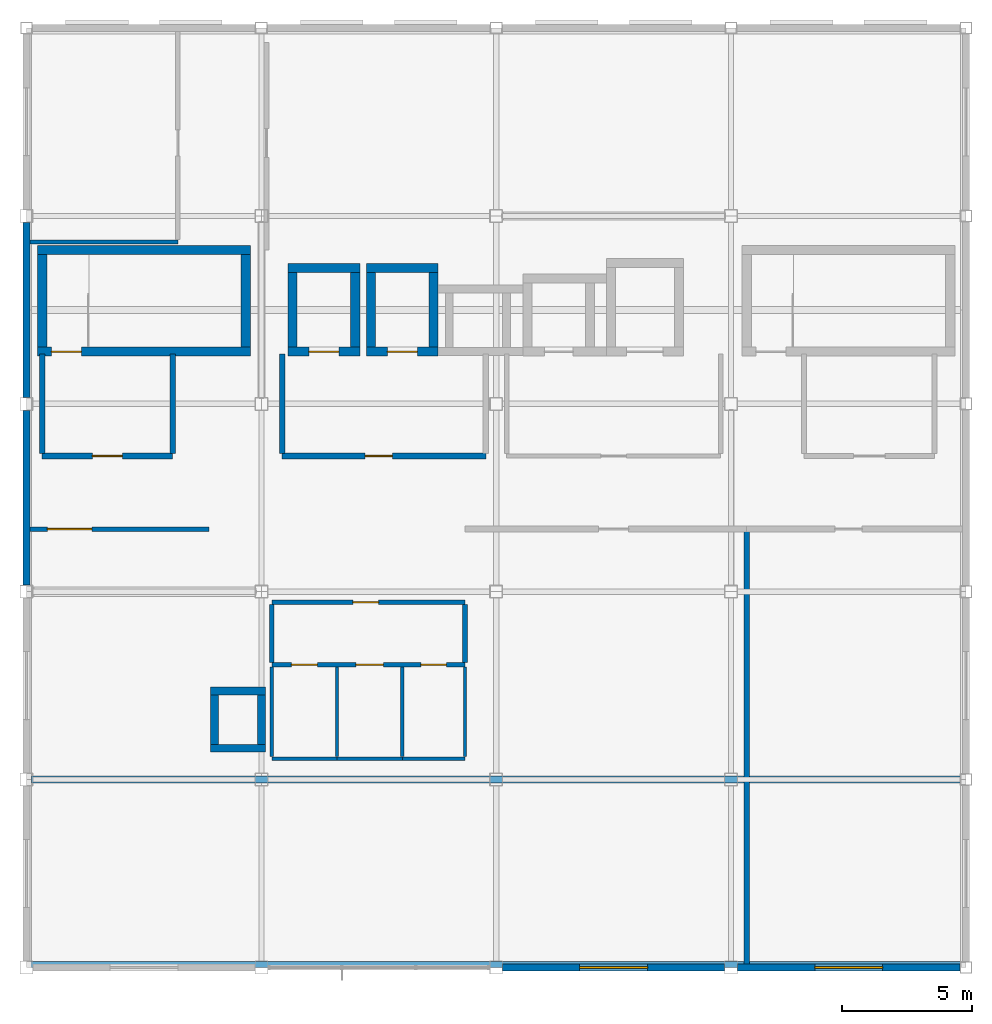
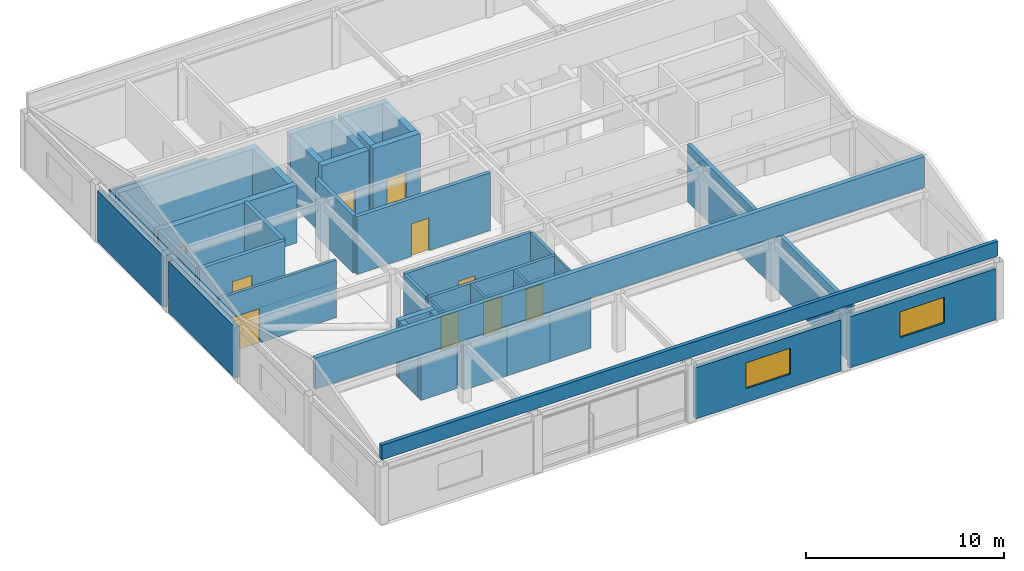
# One storey, part 6 of 9: 41 walls, 10 doors, 2 windows, 12 openings.
"""IFC4 building model written with IfcOpenShell, lengths in metres."""

from ifc_helpers import new_model, si_unit, direction, frame, frame_2d, origin, place, context, subcontext, project, spatial, rectangle, extrude, material, layer, layer_set, type_object, element, fill, save


model = new_model("IFC4")

# Units and contexts
model_context = context("Model", 3, precision=1e-05, world=origin(), true_north=direction((0.0, 1.0)))
body_context = subcontext(model_context, "Body", "Model", "MODEL_VIEW")
ifc_project = project(units=[si_unit("LENGTHUNIT", "METRE"), si_unit("AREAUNIT", "SQUARE_METRE"), si_unit("VOLUMEUNIT", "CUBIC_METRE"), si_unit("PLANEANGLEUNIT", "RADIAN"), si_unit("MASSUNIT", "GRAM", prefix="KILO")], contexts=[model_context])

# Site, building, storey
site_placement = place(None, origin())
site = spatial("IfcSite", under=ifc_project, at=site_placement, CompositionType="ELEMENT")
building_placement = place(site_placement, origin())
building = spatial("IfcBuilding", under=site, at=building_placement, Name="Kazanami Central Library", CompositionType="ELEMENT")
storey_placement = place(building_placement, frame((0.0, 0.0, 31.39990234375)))
storey = spatial("IfcBuildingStorey", under=building, at=storey_placement, Name="L09", CompositionType="ELEMENT", Elevation=31.39990234375)

# Wall, opening, window
ifc_material_1 = material(Name="Concrete Fc36 (36 MPa)", Category="concrete")
ifc_layer_1 = layer(ifc_material_1, 0.179931640625, Name="Concrete Fc36 (36 MPa)")
ifc_material_2 = material(Name="Extruded Polystyrene XPS", Category="earth")
ifc_layer_2 = layer(ifc_material_2, 0.050048828125, Name="Extruded Polystyrene XPS")
ifc_material_3 = material(Name="Honed Inada Granite", Category="masonry")
ifc_layer_3 = layer(ifc_material_3, 0.030029296875, Name="Honed Inada Granite")
ifc_layer_set_1 = layer_set([ifc_layer_1, ifc_layer_2, ifc_layer_3], Name="Concrete Fc36 (36 MPa)")
wall_type_1 = type_object("IfcWallType", Name="WAL-EW-260", PredefinedType="STANDARD", material=ifc_layer_set_1)
wall_1_placement = place(storey_placement, frame((144.25, 57.60009765625, 0.0), z_axis=(0.0, 0.0, 1.0), x_axis=(1.0, 0.0, 0.0)))
wall_1 = element("IfcWall", 1, at=wall_1_placement, inside=storey, type_object=wall_type_1, Name="Exterior Facade Wall EW-260 L09 S-J-16", PredefinedType="STANDARD", context=body_context, shape_type="SweptSolid", body=[
    extrude(rectangle(XDim=8.5, YDim=0.260009765625, at=frame_2d((4.25, 0.0))), origin(), (0.0, 0.0, 1.0), 3.16015625),
])
opening_1_placement = place(wall_1_placement, frame((2.949951171875, 0.0, 0.85009765625)))
opening_1 = element("IfcOpeningElement", 2, at=opening_1_placement, cuts=wall_1, Name="Opening WN-13", PredefinedType="OPENING", context=body_context, shape_type="SweptSolid", body=[
    extrude(rectangle(XDim=2.60009765625, YDim=1.60009765625, at=frame_2d((1.300048828125, 0.800048828125))), frame((0.0, 0.14208984375, 0.0), z_axis=(0.0, -1.0, 0.0), x_axis=(1.0, 0.0, 0.0)), (0.0, 0.0, 1.0), 0.283935546875),
])
ifc_material_4 = material(Name="Low-E Insulated Triple Glass", Category="glass")
window_type = type_object("IfcWindowType", Name="WIN-WN-13", PartitioningType="DOUBLE_PANEL_VERTICAL", PredefinedType="WINDOW", material=ifc_material_4)
window_1_placement = place(opening_1_placement, origin())
window_1 = element("IfcWindow", 3, at=window_1_placement, inside=storey, type_object=window_type, Name="Facade Window WN-13 L09 S-J-16", OverallHeight=1.60009765625, OverallWidth=2.60009765625, PartitioningType="DOUBLE_PANEL_VERTICAL", PredefinedType="WINDOW", context=body_context, shape_type="SweptSolid", body=[
    extrude(rectangle(XDim=2.60009765625, YDim=1.60009765625, at=frame_2d((1.300048828125, 0.800048828125))), frame((0.0, 0.030029296875, 0.0), z_axis=(0.0, -1.0, 0.0), x_axis=(1.0, 0.0, 0.0)), (0.0, 0.0, 1.0), 0.06005859375),
])
fill(opening_1, window_1)

wall_2_placement = place(storey_placement, frame((153.25, 57.60009765625, 0.0), z_axis=(0.0, 0.0, 1.0), x_axis=(1.0, 0.0, 0.0)))
wall_2 = element("IfcWall", 4, at=wall_2_placement, inside=storey, type_object=wall_type_1, Name="Exterior Facade Wall EW-260 L09 S-J-17", PredefinedType="STANDARD", context=body_context, shape_type="SweptSolid", body=[
    extrude(rectangle(XDim=8.52490234375, YDim=0.260009765625, at=frame_2d((4.262451171875, 0.0))), origin(), (0.0, 0.0, 1.0), 3.16015625),
])
opening_2_placement = place(wall_2_placement, frame((2.96240234375, 0.0, 0.85009765625)))
opening_2 = element("IfcOpeningElement", 5, at=opening_2_placement, cuts=wall_2, Name="Opening WN-13", PredefinedType="OPENING", context=body_context, shape_type="SweptSolid", body=[
    extrude(rectangle(XDim=2.60009765625, YDim=1.60009765625, at=frame_2d((1.300048828125, 0.800048828125))), frame((0.0, 0.14208984375, 0.0), z_axis=(0.0, -1.0, 0.0), x_axis=(1.0, 0.0, 0.0)), (0.0, 0.0, 1.0), 0.283935546875),
])
window_2_placement = place(opening_2_placement, origin())
window_2 = element("IfcWindow", 6, at=window_2_placement, inside=storey, type_object=window_type, Name="Facade Window WN-13 L09 S-J-17", OverallHeight=1.60009765625, OverallWidth=2.60009765625, PartitioningType="DOUBLE_PANEL_VERTICAL", PredefinedType="WINDOW", context=body_context, shape_type="SweptSolid", body=[
    extrude(rectangle(XDim=2.60009765625, YDim=1.60009765625, at=frame_2d((1.300048828125, 0.800048828125))), frame((0.0, 0.030029296875, 0.0), z_axis=(0.0, -1.0, 0.0), x_axis=(1.0, 0.0, 0.0)), (0.0, 0.0, 1.0), 0.06005859375),
])
fill(opening_2, window_2)

# Walls
for number, where, z_axis, x_axis, name in (
    (7, (126.0, 72.25, 0.0), (0.0, 0.0, 1.0), (0.0, 1.0, 0.0), "Exterior Facade Wall EW-260 L09 W-15-10"),
    (8, (126.0, 79.449951171875, 0.0), (0.0, 0.0, 1.0), (0.0, 1.0, 0.0), "Exterior Facade Wall EW-260 L09 W-15-11"),
):
    element("IfcWall", number, at=place(storey_placement, frame(where, z_axis=z_axis, x_axis=x_axis)), inside=storey, type_object=wall_type_1, Name=name, PredefinedType="STANDARD", context=body_context, shape_type="SweptSolid", body=[
        extrude(rectangle(XDim=6.699951171875, YDim=0.260009765625, at=frame_2d((3.35009765625, 0.0))), origin(), (0.0, 0.0, 1.0), 3.16015625),
    ])
wall_3_placement = place(storey_placement, frame((126.199951171875, 64.800048828125, 3.800048828125), z_axis=(0.0, 0.0, 1.0), x_axis=(1.0, 0.0, 0.0)))
element("IfcWall", 9, at=wall_3_placement, inside=storey, type_object=wall_type_1, Name="Roof Ridge Support Wall GAB-L09-V2-S", PredefinedType="STANDARD", context=body_context, shape_type="SweptSolid", body=[
    extrude(rectangle(XDim=35.60009765625, YDim=0.260009765625, at=frame_2d((17.800048828125, 0.0))), origin(), (0.0, 0.0, 1.0), 1.920166015625),
])

# Wall, opening, door
ifc_material_5 = material(Name="Fire-Resistant Gypsum Board GB-F", Category="gypsum")
ifc_layer_4 = layer(ifc_material_5, 0.1650390625, Name="Fire-Resistant Gypsum Board GB-F")
ifc_layer_set_2 = layer_set([ifc_layer_4], Name="Fire-Resistant Gypsum Board GB-F")
wall_type_2 = type_object("IfcWallType", Name="WAL-FW-165", PredefinedType="PARTITIONING", material=ifc_layer_set_2)
wall_4_placement = place(storey_placement, frame((126.135009765625, 74.39990234375, 0.0), z_axis=(0.0, 0.0, 1.0), x_axis=(1.0, 0.0, 0.0)))
wall_4 = element("IfcWall", 10, at=wall_4_placement, inside=storey, type_object=wall_type_2, Name="Interior Partition FW-165 L09 RM-04 (North)", PredefinedType="PARTITIONING", context=body_context, shape_type="SweptSolid", body=[
    extrude(rectangle(XDim=6.864990234375, YDim=0.1650390625, at=frame_2d((3.4326171875, 0.0))), origin(), (0.0, 0.0, 1.0), 3.56005859375),
])
opening_3_placement = place(wall_4_placement, frame((0.6650390625, 0.0, 0.0)))
opening_3 = element("IfcOpeningElement", 11, at=opening_3_placement, cuts=wall_4, Name="Opening FD30-4", PredefinedType="OPENING", context=body_context, shape_type="SweptSolid", body=[
    extrude(rectangle(XDim=1.699951171875, YDim=2.1201171875, at=frame_2d((0.85009765625, 1.06005859375))), frame((0.0, 0.094482421875, 0.0), z_axis=(0.0, -1.0, 0.0), x_axis=(1.0, 0.0, 0.0)), (0.0, 0.0, 1.0), 0.18896484375),
])
ifc_material_6 = material(Name="Cold-Rolled Steel SPCC", Category="steel")
door_type_1 = type_object("IfcDoorType", Name="DOR-FD30-4", OperationType="DOUBLE_DOOR_SINGLE_SWING", PredefinedType="DOOR", material=ifc_material_6)
door_1_placement = place(opening_3_placement, origin())
door_1 = element("IfcDoor", 12, at=door_1_placement, inside=storey, type_object=door_type_1, Name="Interior Door FD30-4 L09 RM-04", OperationType="DOUBLE_DOOR_SINGLE_SWING", OverallHeight=2.1201171875, OverallWidth=1.699951171875, PredefinedType="DOOR", context=body_context, shape_type="SweptSolid", body=[
    extrude(rectangle(XDim=1.699951171875, YDim=2.1201171875, at=frame_2d((0.85009765625, 1.06005859375))), frame((0.0, 0.02490234375, 0.0), z_axis=(0.0, -1.0, 0.0), x_axis=(1.0, 0.0, 0.0)), (0.0, 0.0, 1.0), 0.050048828125),
])
fill(opening_3, door_1)

# Wall
wall_5_placement = place(storey_placement, frame((126.135009765625, 85.39990234375, 0.0), z_axis=(0.0, 0.0, 1.0), x_axis=(1.0, 0.0, 0.0)))
element("IfcWall", 13, at=wall_5_placement, inside=storey, type_object=wall_type_2, Name="Interior Partition FW-165 L09 RM-07 (South)", PredefinedType="PARTITIONING", context=body_context, shape_type="SweptSolid", body=[
    extrude(rectangle(XDim=5.6650390625, YDim=0.1650390625, at=frame_2d((2.83251953125, 0.0))), origin(), (0.0, 0.0, 1.0), 3.56005859375),
])

# Wall, openings, doors
ifc_layer_5 = layer(ifc_material_5, 0.179931640625, Name="Fire-Resistant Gypsum Board GB-F")
ifc_layer_set_3 = layer_set([ifc_layer_5], Name="Fire-Resistant Gypsum Board GB-F")
wall_type_3 = type_object("IfcWallType", Name="WAL-FW-180", PredefinedType="PARTITIONING", material=ifc_layer_set_3)
wall_6_placement = place(storey_placement, frame((135.39990234375, 69.199951171875, 0.0), z_axis=(0.0, 0.0, 1.0), x_axis=(1.0, 0.0, 0.0)))
wall_6 = element("IfcWall", 14, at=wall_6_placement, inside=storey, type_object=wall_type_3, Name="Interior Partition FW-180 L09 WC-V2-LOB (South)", PredefinedType="PARTITIONING", context=body_context, shape_type="SweptSolid", body=[
    extrude(rectangle(XDim=7.400146484375, YDim=0.179931640625, at=frame_2d((3.7001953125, 0.0))), origin(), (0.0, 0.0, 1.0), 3.56005859375),
])
opening_4_placement = place(wall_6_placement, frame((0.75, 0.0, 0.0)))
opening_4 = element("IfcOpeningElement", 15, at=opening_4_placement, cuts=wall_6, Name="Opening FD30-2", PredefinedType="OPENING", context=body_context, shape_type="SweptSolid", body=[
    extrude(rectangle(XDim=1.0, YDim=2.080078125, at=frame_2d((0.5, 1.0400390625))), frame((0.0, 0.10205078125, 0.0), z_axis=(0.0, -1.0, 0.0), x_axis=(1.0, 0.0, 0.0)), (0.0, 0.0, 1.0), 0.203857421875),
])
opening_5_placement = place(wall_6_placement, frame((3.22509765625, 0.0, 0.0)))
opening_5 = element("IfcOpeningElement", 16, at=opening_5_placement, cuts=wall_6, Name="Opening FD30-1", PredefinedType="OPENING", context=body_context, shape_type="SweptSolid", body=[
    extrude(rectangle(XDim=1.050048828125, YDim=2.10009765625, at=frame_2d((0.52490234375, 1.050048828125))), frame((0.0, 0.10205078125, 0.0), z_axis=(0.0, -1.0, 0.0), x_axis=(1.0, 0.0, 0.0)), (0.0, 0.0, 1.0), 0.203857421875),
])
opening_6_placement = place(wall_6_placement, frame((5.7099609375, 0.0, 0.0)))
opening_6 = element("IfcOpeningElement", 17, at=opening_6_placement, cuts=wall_6, Name="Opening FD30-3", PredefinedType="OPENING", context=body_context, shape_type="SweptSolid", body=[
    extrude(rectangle(XDim=0.97998046875, YDim=2.02001953125, at=frame_2d((0.489990234375, 1.010009765625))), frame((0.0, 0.10205078125, 0.0), z_axis=(0.0, -1.0, 0.0), x_axis=(1.0, 0.0, 0.0)), (0.0, 0.0, 1.0), 0.203857421875),
])
door_type_2 = type_object("IfcDoorType", Name="DOR-FD30-1", OperationType="NOTDEFINED", PredefinedType="DOOR", material=ifc_material_6)
door_2_placement = place(opening_5_placement, origin())
door_2 = element("IfcDoor", 18, at=door_2_placement, inside=storey, type_object=door_type_2, Name="Interior Door FD30-1 L09 WC-V2-F", OperationType="SINGLE_SWING_RIGHT", OverallHeight=2.10009765625, OverallWidth=1.050048828125, PredefinedType="DOOR", context=body_context, shape_type="SweptSolid", body=[
    extrude(rectangle(XDim=1.050048828125, YDim=2.10009765625, at=frame_2d((0.52490234375, 1.050048828125))), frame((0.0, 0.02490234375, 0.0), z_axis=(0.0, -1.0, 0.0), x_axis=(1.0, 0.0, 0.0)), (0.0, 0.0, 1.0), 0.050048828125),
])
fill(opening_5, door_2)
door_type_3 = type_object("IfcDoorType", Name="DOR-FD30-2", OperationType="NOTDEFINED", PredefinedType="DOOR", material=ifc_material_6)
door_3_placement = place(opening_4_placement, origin())
door_3 = element("IfcDoor", 19, at=door_3_placement, inside=storey, type_object=door_type_3, Name="Interior Door FD30-2 L09 WC-V2-M", OperationType="SINGLE_SWING_LEFT", OverallHeight=2.080078125, OverallWidth=1.0, PredefinedType="DOOR", context=body_context, shape_type="SweptSolid", body=[
    extrude(rectangle(XDim=1.0, YDim=2.080078125, at=frame_2d((0.5, 1.0400390625))), frame((0.0, 0.02490234375, 0.0), z_axis=(0.0, -1.0, 0.0), x_axis=(1.0, 0.0, 0.0)), (0.0, 0.0, 1.0), 0.050048828125),
])
fill(opening_4, door_3)
door_type_4 = type_object("IfcDoorType", Name="DOR-FD30-3", OperationType="NOTDEFINED", PredefinedType="DOOR", material=ifc_material_6)
door_4_placement = place(opening_6_placement, origin())
door_4 = element("IfcDoor", 20, at=door_4_placement, inside=storey, type_object=door_type_4, Name="Interior Door FD30-3 L09 WC-V2-ACC", OperationType="SINGLE_SWING_LEFT", OverallHeight=2.02001953125, OverallWidth=0.97998046875, PredefinedType="DOOR", context=body_context, shape_type="SweptSolid", body=[
    extrude(rectangle(XDim=0.97998046875, YDim=2.02001953125, at=frame_2d((0.489990234375, 1.010009765625))), frame((0.0, 0.02490234375, 0.0), z_axis=(0.0, -1.0, 0.0), x_axis=(1.0, 0.0, 0.0)), (0.0, 0.0, 1.0), 0.050048828125),
])
fill(opening_6, door_4)

# Wall, opening, door
wall_7_placement = place(storey_placement, frame((135.39990234375, 71.60009765625, 0.0), z_axis=(0.0, 0.0, 1.0), x_axis=(1.0, 0.0, 0.0)))
wall_7 = element("IfcWall", 21, at=wall_7_placement, inside=storey, type_object=wall_type_3, Name="Interior Partition FW-180 L09 WC-V2-LOB (North)", PredefinedType="PARTITIONING", context=body_context, shape_type="SweptSolid", body=[
    extrude(rectangle(XDim=7.400146484375, YDim=0.179931640625, at=frame_2d((3.7001953125, 0.0))), origin(), (0.0, 0.0, 1.0), 3.56005859375),
])
opening_7_placement = place(wall_7_placement, frame((3.110107421875, 0.0, 0.0)))
opening_7 = element("IfcOpeningElement", 22, at=opening_7_placement, cuts=wall_7, Name="Opening FD30-3", PredefinedType="OPENING", context=body_context, shape_type="SweptSolid", body=[
    extrude(rectangle(XDim=0.97998046875, YDim=2.02001953125, at=frame_2d((0.489990234375, 1.010009765625))), frame((0.0, 0.10205078125, 0.0), z_axis=(0.0, -1.0, 0.0), x_axis=(1.0, 0.0, 0.0)), (0.0, 0.0, 1.0), 0.203857421875),
])
door_5_placement = place(opening_7_placement, origin())
door_5 = element("IfcDoor", 23, at=door_5_placement, inside=storey, type_object=door_type_4, Name="Interior Door FD30-3 L09 WC-V2-LOB", OperationType="SINGLE_SWING_RIGHT", OverallHeight=2.02001953125, OverallWidth=0.97998046875, PredefinedType="DOOR", context=body_context, shape_type="SweptSolid", body=[
    extrude(rectangle(XDim=0.97998046875, YDim=2.02001953125, at=frame_2d((0.489990234375, 1.010009765625))), frame((0.0, 0.02490234375, 0.0), z_axis=(0.0, -1.0, 0.0), x_axis=(1.0, 0.0, 0.0)), (0.0, 0.0, 1.0), 0.050048828125),
])
fill(opening_7, door_5)

# Walls
for number, where, z_axis, x_axis, name in (
    (24, (135.39990234375, 69.2900390625, 0.0), (0.0, 0.0, 1.0), (0.0, 1.0, 0.0), "Interior Partition FW-180 L09 WC-V2-LOB (West)"),
    (25, (142.800048828125, 69.2900390625, 0.0), (0.0, 0.0, 1.0), (0.0, 1.0, 0.0), "Interior Partition FW-180 L09 WC-V2-LOB (East)"),
):
    element("IfcWall", number, at=place(storey_placement, frame(where, z_axis=z_axis, x_axis=x_axis)), inside=storey, type_object=wall_type_3, Name=name, PredefinedType="PARTITIONING", context=body_context, shape_type="SweptSolid", body=[
        extrude(rectangle(XDim=2.219970703125, YDim=0.179931640625, at=frame_2d((1.10986328125, 0.0))), origin(), (0.0, 0.0, 1.0), 3.56005859375),
    ])

# Wall, opening, door
ifc_layer_6 = layer(ifc_material_5, 0.219970703125, Name="Fire-Resistant Gypsum Board GB-F")
ifc_layer_set_4 = layer_set([ifc_layer_6], Name="Fire-Resistant Gypsum Board GB-F")
wall_type_4 = type_object("IfcWallType", Name="WAL-FW-220", PredefinedType="PARTITIONING", material=ifc_layer_set_4)
wall_8_placement = place(storey_placement, frame((126.60009765625, 77.199951171875, 0.0), z_axis=(0.0, 0.0, 1.0), x_axis=(1.0, 0.0, 0.0)))
wall_8 = element("IfcWall", 26, at=wall_8_placement, inside=storey, type_object=wall_type_4, Name="Interior Partition FW-220 L09 VEST-ST-01 (South)", PredefinedType="PARTITIONING", context=body_context, shape_type="SweptSolid", body=[
    extrude(rectangle(XDim=5.0, YDim=0.219970703125, at=frame_2d((2.5, 0.0))), origin(), (0.0, 0.0, 1.0), 3.56005859375),
])
opening_8_placement = place(wall_8_placement, frame((1.925048828125, 0.0, 0.0)))
opening_8 = element("IfcOpeningElement", 27, at=opening_8_placement, cuts=wall_8, Name="Opening FD60-2", PredefinedType="OPENING", context=body_context, shape_type="SweptSolid", body=[
    extrude(rectangle(XDim=1.14990234375, YDim=2.10009765625, at=frame_2d((0.574951171875, 1.050048828125))), frame((0.0, 0.1220703125, 0.0), z_axis=(0.0, -1.0, 0.0), x_axis=(1.0, 0.0, 0.0)), (0.0, 0.0, 1.0), 0.243896484375),
])
door_type_5 = type_object("IfcDoorType", Name="DOR-FD60-2", OperationType="NOTDEFINED", PredefinedType="DOOR", material=ifc_material_6)
door_6_placement = place(opening_8_placement, origin())
door_6 = element("IfcDoor", 28, at=door_6_placement, inside=storey, type_object=door_type_5, Name="Interior Door FD60-2 L09 VEST-ST-01", OperationType="SINGLE_SWING_RIGHT", OverallHeight=2.10009765625, OverallWidth=1.14990234375, PredefinedType="DOOR", context=body_context, shape_type="SweptSolid", body=[
    extrude(rectangle(XDim=1.14990234375, YDim=2.10009765625, at=frame_2d((0.574951171875, 1.050048828125))), frame((0.0, 0.02490234375, 0.0), z_axis=(0.0, -1.0, 0.0), x_axis=(1.0, 0.0, 0.0)), (0.0, 0.0, 1.0), 0.050048828125),
])
fill(opening_8, door_6)

# Walls
for number, where, z_axis, x_axis, name in (
    (29, (126.60009765625, 77.2900390625, 0.0), (0.0, 0.0, 1.0), (0.0, 1.0, 0.0), "Interior Partition FW-220 L09 VEST-ST-01 (West)"),
    (30, (131.60009765625, 77.2900390625, 0.0), (0.0, 0.0, 1.0), (0.0, 1.0, 0.0), "Interior Partition FW-220 L09 VEST-ST-01 (East)"),
):
    element("IfcWall", number, at=place(storey_placement, frame(where, z_axis=z_axis, x_axis=x_axis)), inside=storey, type_object=wall_type_4, Name=name, PredefinedType="PARTITIONING", context=body_context, shape_type="SweptSolid", body=[
        extrude(rectangle(XDim=3.820068359375, YDim=0.219970703125, at=frame_2d((1.91015625, 0.0))), origin(), (0.0, 0.0, 1.0), 3.56005859375),
    ])

# Wall, opening, door
wall_9_placement = place(storey_placement, frame((135.800048828125, 77.199951171875, 0.0), z_axis=(0.0, 0.0, 1.0), x_axis=(1.0, 0.0, 0.0)))
wall_9 = element("IfcWall", 31, at=wall_9_placement, inside=storey, type_object=wall_type_4, Name="Interior Partition FW-220 L09 LOBBY-FF (South)", PredefinedType="PARTITIONING", context=body_context, shape_type="SweptSolid", body=[
    extrude(rectangle(XDim=7.800048828125, YDim=0.219970703125, at=frame_2d((3.89990234375, 0.0))), origin(), (0.0, 0.0, 1.0), 3.56005859375),
])
opening_9_placement = place(wall_9_placement, frame((3.175048828125, 0.0, 0.0)))
opening_9 = element("IfcOpeningElement", 32, at=opening_9_placement, cuts=wall_9, Name="Opening FD60-8", PredefinedType="OPENING", context=body_context, shape_type="SweptSolid", body=[
    extrude(rectangle(XDim=1.050048828125, YDim=2.02001953125, at=frame_2d((0.52490234375, 1.010009765625))), frame((0.0, 0.1220703125, 0.0), z_axis=(0.0, -1.0, 0.0), x_axis=(1.0, 0.0, 0.0)), (0.0, 0.0, 1.0), 0.243896484375),
])
door_type_6 = type_object("IfcDoorType", Name="DOR-FD60-8", OperationType="NOTDEFINED", PredefinedType="DOOR", material=ifc_material_6)
door_7_placement = place(opening_9_placement, frame((1.050048828125, 0.0, 0.0), z_axis=(0.0, 0.0, 1.0), x_axis=(-1.0, 0.0, 0.0)))
door_7 = element("IfcDoor", 33, at=door_7_placement, inside=storey, type_object=door_type_6, Name="Interior Door FD60-8 L09 LOBBY-FF", OperationType="SINGLE_SWING_RIGHT", OverallHeight=2.02001953125, OverallWidth=1.050048828125, PredefinedType="DOOR", context=body_context, shape_type="SweptSolid", body=[
    extrude(rectangle(XDim=1.050048828125, YDim=2.02001953125, at=frame_2d((0.52490234375, 1.010009765625))), frame((0.0, 0.02490234375, 0.0), z_axis=(0.0, -1.0, 0.0), x_axis=(1.0, 0.0, 0.0)), (0.0, 0.0, 1.0), 0.050048828125),
])
fill(opening_9, door_7)

# Walls
wall_10_placement = place(storey_placement, frame((135.800048828125, 77.2900390625, 0.0), z_axis=(0.0, 0.0, 1.0), x_axis=(0.0, 1.0, 0.0)))
element("IfcWall", 34, at=wall_10_placement, inside=storey, type_object=wall_type_4, Name="Interior Partition FW-220 L09 LOBBY-FF (West)", PredefinedType="PARTITIONING", context=body_context, shape_type="SweptSolid", body=[
    extrude(rectangle(XDim=3.820068359375, YDim=0.219970703125, at=frame_2d((1.91015625, 0.0))), origin(), (0.0, 0.0, 1.0), 3.56005859375),
])
wall_11_placement = place(storey_placement, frame((153.60009765625, 57.735107421875, 0.0), z_axis=(0.0, 0.0, 1.0), x_axis=(0.0, 1.0, 0.0)))
element("IfcWall", 35, at=wall_11_placement, inside=storey, type_object=wall_type_4, Name="Interior Partition FW-220 L09 RM-05 (East)", PredefinedType="PARTITIONING", context=body_context, shape_type="SweptSolid", body=[
    extrude(rectangle(XDim=16.574951171875, YDim=0.219970703125, at=frame_2d((8.28759765625, 0.0))), origin(), (0.0, 0.0, 1.0), 3.56005859375),
])
ifc_material_7 = material(Name="Gypsum Plasterboard GB-R", Category="gypsum")
ifc_layer_7 = layer(ifc_material_7, 0.125, Name="Gypsum Plasterboard GB-R")
ifc_layer_set_5 = layer_set([ifc_layer_7], Name="Gypsum Plasterboard GB-R")
wall_type_5 = type_object("IfcWallType", Name="WAL-PW-125", PredefinedType="PARTITIONING", material=ifc_layer_set_5)
wall_12_placement = place(storey_placement, frame((135.39990234375, 65.60009765625, 0.0), z_axis=(0.0, 0.0, 1.0), x_axis=(1.0, 0.0, 0.0)))
element("IfcWall", 36, at=wall_12_placement, inside=storey, type_object=wall_type_5, Name="Interior Partition PW-125 L09 WC-V2-M (South)", PredefinedType="PARTITIONING", context=body_context, shape_type="SweptSolid", body=[
    extrude(rectangle(XDim=2.5, YDim=0.125, at=frame_2d((1.25, 0.0))), origin(), (0.0, 0.0, 1.0), 3.56005859375),
])
for number, where, z_axis, x_axis, name in (
    (37, (135.39990234375, 65.68994140625, 0.0), (0.0, 0.0, 1.0), (0.0, 1.0, 0.0), "Interior Partition PW-125 L09 WC-V2-M (West)"),
    (38, (137.89990234375, 65.68994140625, 0.0), (0.0, 0.0, 1.0), (0.0, 1.0, 0.0), "Interior Partition PW-125 L09 WC-V2-M (East)"),
):
    element("IfcWall", number, at=place(storey_placement, frame(where, z_axis=z_axis, x_axis=x_axis)), inside=storey, type_object=wall_type_5, Name=name, PredefinedType="PARTITIONING", context=body_context, shape_type="SweptSolid", body=[
        extrude(rectangle(XDim=3.420166015625, YDim=0.125, at=frame_2d((1.7099609375, 0.0))), origin(), (0.0, 0.0, 1.0), 3.56005859375),
    ])
wall_13_placement = place(storey_placement, frame((137.89990234375, 65.60009765625, 0.0), z_axis=(0.0, 0.0, 1.0), x_axis=(1.0, 0.0, 0.0)))
element("IfcWall", 39, at=wall_13_placement, inside=storey, type_object=wall_type_5, Name="Interior Partition PW-125 L09 WC-V2-F (South)", PredefinedType="PARTITIONING", context=body_context, shape_type="SweptSolid", body=[
    extrude(rectangle(XDim=2.5, YDim=0.125, at=frame_2d((1.25, 0.0))), origin(), (0.0, 0.0, 1.0), 3.56005859375),
])
wall_14_placement = place(storey_placement, frame((140.39990234375, 65.68994140625, 0.0), z_axis=(0.0, 0.0, 1.0), x_axis=(0.0, 1.0, 0.0)))
element("IfcWall", 40, at=wall_14_placement, inside=storey, type_object=wall_type_5, Name="Interior Partition PW-125 L09 WC-V2-F (East)", PredefinedType="PARTITIONING", context=body_context, shape_type="SweptSolid", body=[
    extrude(rectangle(XDim=3.420166015625, YDim=0.125, at=frame_2d((1.7099609375, 0.0))), origin(), (0.0, 0.0, 1.0), 3.56005859375),
])
wall_15_placement = place(storey_placement, frame((140.39990234375, 65.60009765625, 0.0), z_axis=(0.0, 0.0, 1.0), x_axis=(1.0, 0.0, 0.0)))
element("IfcWall", 41, at=wall_15_placement, inside=storey, type_object=wall_type_5, Name="Interior Partition PW-125 L09 WC-V2-ACC (South)", PredefinedType="PARTITIONING", context=body_context, shape_type="SweptSolid", body=[
    extrude(rectangle(XDim=2.400146484375, YDim=0.125, at=frame_2d((1.2001953125, 0.0))), origin(), (0.0, 0.0, 1.0), 3.56005859375),
])
wall_16_placement = place(storey_placement, frame((142.800048828125, 65.68994140625, 0.0), z_axis=(0.0, 0.0, 1.0), x_axis=(0.0, 1.0, 0.0)))
element("IfcWall", 42, at=wall_16_placement, inside=storey, type_object=wall_type_5, Name="Interior Partition PW-125 L09 WC-V2-ACC (East)", PredefinedType="PARTITIONING", context=body_context, shape_type="SweptSolid", body=[
    extrude(rectangle(XDim=3.420166015625, YDim=0.125, at=frame_2d((1.7099609375, 0.0))), origin(), (0.0, 0.0, 1.0), 3.56005859375),
])
ifc_layer_8 = layer(ifc_material_1, 0.219970703125, Name="Concrete Fc36 (36 MPa)")
ifc_layer_set_6 = layer_set([ifc_layer_8], Name="Concrete Fc36 (36 MPa)")
wall_type_6 = type_object("IfcWallType", Name="WAL-PW-220", PredefinedType="PARAPET", material=ifc_layer_set_6)
wall_17_placement = place(storey_placement, frame((126.0, 57.7099609375, 3.800048828125), z_axis=(0.0, 0.0, 1.0), x_axis=(1.0, 0.0, 0.0)))
element("IfcWall", 43, at=wall_17_placement, inside=storey, type_object=wall_type_6, Name="Roof Eave Parapet V2-S", PredefinedType="PARAPET", context=body_context, shape_type="SweptSolid", body=[
    extrude(rectangle(XDim=36.0, YDim=0.219970703125, at=frame_2d((18.0, 0.0))), origin(), (0.0, 0.0, 1.0), 0.900146484375),
])
ifc_layer_9 = layer(ifc_material_1, 0.300048828125, Name="Concrete Fc36 (36 MPa)")
ifc_layer_set_7 = layer_set([ifc_layer_9], Name="Concrete Fc36 (36 MPa)")
wall_type_7 = type_object("IfcWallType", Name="WAL-SW-300", PredefinedType="SHEAR", material=ifc_layer_set_7)
for number, where, z_axis, x_axis, name in (
    (44, (133.050048828125, 66.0, 0.0), (0.0, 0.0, 1.0), (1.0, 0.0, 0.0), "Service Riser Wall RSR-V2-B S L09"),
    (45, (133.050048828125, 68.199951171875, 0.0), (0.0, 0.0, 1.0), (1.0, 0.0, 0.0), "Service Riser Wall RSR-V2-B N L09"),
):
    element("IfcWall", number, at=place(storey_placement, frame(where, z_axis=z_axis, x_axis=x_axis)), inside=storey, type_object=wall_type_7, Name=name, PredefinedType="SHEAR", context=body_context, shape_type="SweptSolid", body=[
        extrude(rectangle(XDim=2.099853515625, YDim=0.300048828125, at=frame_2d((1.0498046875, 0.0))), origin(), (0.0, 0.0, 1.0), 3.56005859375),
    ])
for number, where, z_axis, x_axis, name in (
    (46, (133.199951171875, 66.14990234375, 0.0), (0.0, 0.0, 1.0), (0.0, 1.0, 0.0), "Service Riser Wall RSR-V2-B W L09"),
    (47, (135.0, 66.14990234375, 0.0), (0.0, 0.0, 1.0), (0.0, 1.0, 0.0), "Service Riser Wall RSR-V2-B E L09"),
):
    element("IfcWall", number, at=place(storey_placement, frame(where, z_axis=z_axis, x_axis=x_axis)), inside=storey, type_object=wall_type_7, Name=name, PredefinedType="SHEAR", context=body_context, shape_type="SweptSolid", body=[
        extrude(rectangle(XDim=1.900146484375, YDim=0.300048828125, at=frame_2d((0.9501953125, 0.0))), origin(), (0.0, 0.0, 1.0), 3.56005859375),
    ])

# Wall, opening, door
ifc_layer_10 = layer(ifc_material_1, 0.35009765625, Name="Concrete Fc36 (36 MPa)")
ifc_layer_set_8 = layer_set([ifc_layer_10], Name="Concrete Fc36 (36 MPa)")
wall_type_8 = type_object("IfcWallType", Name="WAL-SW-350", PredefinedType="SHEAR", material=ifc_layer_set_8)
wall_18_placement = place(storey_placement, frame((126.425048828125, 81.199951171875, 0.0), z_axis=(0.0, 0.0, 1.0), x_axis=(1.0, 0.0, 0.0)))
wall_18 = element("IfcWall", 48, at=wall_18_placement, inside=storey, type_object=wall_type_8, Name="Stair Core Wall ST-01 South L09", PredefinedType="SHEAR", context=body_context, shape_type="SweptSolid", body=[
    extrude(rectangle(XDim=8.14990234375, YDim=0.35009765625, at=frame_2d((4.074951171875, 0.0))), origin(), (0.0, 0.0, 1.0), 3.56005859375),
])
opening_10_placement = place(wall_18_placement, frame((0.52490234375, 0.0, 0.0)))
opening_10 = element("IfcOpeningElement", 49, at=opening_10_placement, cuts=wall_18, Name="Opening FD60-2", PredefinedType="OPENING", context=body_context, shape_type="SweptSolid", body=[
    extrude(rectangle(XDim=1.14990234375, YDim=2.10009765625, at=frame_2d((0.574951171875, 1.050048828125))), frame((0.0, 0.18701171875, 0.0), z_axis=(0.0, -1.0, 0.0), x_axis=(1.0, 0.0, 0.0)), (0.0, 0.0, 1.0), 0.3740234375),
])
door_8_placement = place(opening_10_placement, origin())
door_8 = element("IfcDoor", 50, at=door_8_placement, inside=storey, type_object=door_type_5, Name="Escape Stair ST-01 Fire Door L09", OperationType="SINGLE_SWING_RIGHT", OverallHeight=2.10009765625, OverallWidth=1.14990234375, PredefinedType="DOOR", context=body_context, shape_type="SweptSolid", body=[
    extrude(rectangle(XDim=1.14990234375, YDim=2.10009765625, at=frame_2d((0.574951171875, 1.050048828125))), frame((0.0, 0.02490234375, 0.0), z_axis=(0.0, -1.0, 0.0), x_axis=(1.0, 0.0, 0.0)), (0.0, 0.0, 1.0), 0.050048828125),
])
fill(opening_10, door_8)

# Walls
wall_19_placement = place(storey_placement, frame((126.425048828125, 85.10009765625, 0.0), z_axis=(0.0, 0.0, 1.0), x_axis=(1.0, 0.0, 0.0)))
element("IfcWall", 51, at=wall_19_placement, inside=storey, type_object=wall_type_8, Name="Stair Core Wall ST-01 North L09", PredefinedType="SHEAR", context=body_context, shape_type="SweptSolid", body=[
    extrude(rectangle(XDim=8.14990234375, YDim=0.35009765625, at=frame_2d((4.074951171875, 0.0))), origin(), (0.0, 0.0, 1.0), 3.56005859375),
])
for number, where, z_axis, x_axis, name in (
    (52, (126.60009765625, 81.375, 0.0), (0.0, 0.0, 1.0), (0.0, 1.0, 0.0), "Stair Core Wall ST-01 West L09"),
    (53, (134.39990234375, 81.375, 0.0), (0.0, 0.0, 1.0), (0.0, 1.0, 0.0), "Stair Core Wall ST-01 East L09"),
):
    element("IfcWall", number, at=place(storey_placement, frame(where, z_axis=z_axis, x_axis=x_axis)), inside=storey, type_object=wall_type_8, Name=name, PredefinedType="SHEAR", context=body_context, shape_type="SweptSolid", body=[
        extrude(rectangle(XDim=3.550048828125, YDim=0.35009765625, at=frame_2d((1.77490234375, 0.0))), origin(), (0.0, 0.0, 1.0), 3.56005859375),
    ])

# Wall, opening, door
wall_20_placement = place(storey_placement, frame((136.02490234375, 81.199951171875, 0.0), z_axis=(0.0, 0.0, 1.0), x_axis=(1.0, 0.0, 0.0)))
wall_20 = element("IfcWall", 54, at=wall_20_placement, inside=storey, type_object=wall_type_8, Name="Lift Shaft Wall EL-F1 South L09", PredefinedType="SHEAR", context=body_context, shape_type="SweptSolid", body=[
    extrude(rectangle(XDim=2.75, YDim=0.35009765625, at=frame_2d((1.375, 0.0))), origin(), (0.0, 0.0, 1.0), 4.25),
])
opening_11_placement = place(wall_20_placement, frame((0.800048828125, 0.0, 0.0)))
opening_11 = element("IfcOpeningElement", 55, at=opening_11_placement, cuts=wall_20, Name="Opening LD-02", PredefinedType="OPENING", context=body_context, shape_type="SweptSolid", body=[
    extrude(rectangle(XDim=1.14990234375, YDim=2.1201171875, at=frame_2d((0.574951171875, 1.06005859375))), frame((0.0, 0.18701171875, 0.0), z_axis=(0.0, -1.0, 0.0), x_axis=(1.0, 0.0, 0.0)), (0.0, 0.0, 1.0), 0.3740234375),
])
ifc_material_8 = material(Name="Stainless Steel SUS304", Category="steel")
door_type_7 = type_object("IfcDoorType", Name="DOR-LD-02", OperationType="SLIDING_TO_LEFT", PredefinedType="DOOR", material=ifc_material_8)
door_9_placement = place(opening_11_placement, origin())
door_9 = element("IfcDoor", 56, at=door_9_placement, inside=storey, type_object=door_type_7, Name="Lift Landing Sliding Door EL-F1 (L09)", OperationType="SLIDING_TO_LEFT", OverallHeight=2.1201171875, OverallWidth=1.14990234375, PredefinedType="DOOR", context=body_context, shape_type="SweptSolid", body=[
    extrude(rectangle(XDim=1.14990234375, YDim=2.1201171875, at=frame_2d((0.574951171875, 1.06005859375))), frame((0.0, 0.02490234375, 0.0), z_axis=(0.0, -1.0, 0.0), x_axis=(1.0, 0.0, 0.0)), (0.0, 0.0, 1.0), 0.050048828125),
])
fill(opening_11, door_9)

# Walls
wall_21_placement = place(storey_placement, frame((136.02490234375, 84.39990234375, 0.0), z_axis=(0.0, 0.0, 1.0), x_axis=(1.0, 0.0, 0.0)))
element("IfcWall", 57, at=wall_21_placement, inside=storey, type_object=wall_type_8, Name="Lift Shaft Wall EL-F1 North L09", PredefinedType="SHEAR", context=body_context, shape_type="SweptSolid", body=[
    extrude(rectangle(XDim=2.75, YDim=0.35009765625, at=frame_2d((1.375, 0.0))), origin(), (0.0, 0.0, 1.0), 4.25),
])
for number, where, z_axis, x_axis, name in (
    (58, (136.199951171875, 81.375, 0.0), (0.0, 0.0, 1.0), (0.0, 1.0, 0.0), "Lift Shaft Wall EL-F1 West L09"),
    (59, (138.60009765625, 81.375, 0.0), (0.0, 0.0, 1.0), (0.0, 1.0, 0.0), "Lift Shaft Wall EL-F1 East L09"),
):
    element("IfcWall", number, at=place(storey_placement, frame(where, z_axis=z_axis, x_axis=x_axis)), inside=storey, type_object=wall_type_8, Name=name, PredefinedType="SHEAR", context=body_context, shape_type="SweptSolid", body=[
        extrude(rectangle(XDim=2.85009765625, YDim=0.35009765625, at=frame_2d((1.425048828125, 0.0))), origin(), (0.0, 0.0, 1.0), 4.25),
    ])

# Wall, opening, door
wall_22_placement = place(storey_placement, frame((139.02490234375, 81.199951171875, 0.0), z_axis=(0.0, 0.0, 1.0), x_axis=(1.0, 0.0, 0.0)))
wall_22 = element("IfcWall", 60, at=wall_22_placement, inside=storey, type_object=wall_type_8, Name="Lift Shaft Wall EL-F2 South L09", PredefinedType="SHEAR", context=body_context, shape_type="SweptSolid", body=[
    extrude(rectangle(XDim=2.75, YDim=0.35009765625, at=frame_2d((1.375, 0.0))), origin(), (0.0, 0.0, 1.0), 4.25),
])
opening_12_placement = place(wall_22_placement, frame((0.800048828125, 0.0, 0.0)))
opening_12 = element("IfcOpeningElement", 61, at=opening_12_placement, cuts=wall_22, Name="Opening LD-02", PredefinedType="OPENING", context=body_context, shape_type="SweptSolid", body=[
    extrude(rectangle(XDim=1.14990234375, YDim=2.1201171875, at=frame_2d((0.574951171875, 1.06005859375))), frame((0.0, 0.18701171875, 0.0), z_axis=(0.0, -1.0, 0.0), x_axis=(1.0, 0.0, 0.0)), (0.0, 0.0, 1.0), 0.3740234375),
])
door_10_placement = place(opening_12_placement, origin())
door_10 = element("IfcDoor", 62, at=door_10_placement, inside=storey, type_object=door_type_7, Name="Lift Landing Sliding Door EL-F2 (L09)", OperationType="SLIDING_TO_LEFT", OverallHeight=2.1201171875, OverallWidth=1.14990234375, PredefinedType="DOOR", context=body_context, shape_type="SweptSolid", body=[
    extrude(rectangle(XDim=1.14990234375, YDim=2.1201171875, at=frame_2d((0.574951171875, 1.06005859375))), frame((0.0, 0.02490234375, 0.0), z_axis=(0.0, -1.0, 0.0), x_axis=(1.0, 0.0, 0.0)), (0.0, 0.0, 1.0), 0.050048828125),
])
fill(opening_12, door_10)

# Walls
wall_23_placement = place(storey_placement, frame((139.02490234375, 84.39990234375, 0.0), z_axis=(0.0, 0.0, 1.0), x_axis=(1.0, 0.0, 0.0)))
element("IfcWall", 63, at=wall_23_placement, inside=storey, type_object=wall_type_8, Name="Lift Shaft Wall EL-F2 North L09", PredefinedType="SHEAR", context=body_context, shape_type="SweptSolid", body=[
    extrude(rectangle(XDim=2.75, YDim=0.35009765625, at=frame_2d((1.375, 0.0))), origin(), (0.0, 0.0, 1.0), 4.25),
])
for number, where, z_axis, x_axis, name in (
    (64, (139.199951171875, 81.375, 0.0), (0.0, 0.0, 1.0), (0.0, 1.0, 0.0), "Lift Shaft Wall EL-F2 West L09"),
    (65, (141.60009765625, 81.375, 0.0), (0.0, 0.0, 1.0), (0.0, 1.0, 0.0), "Lift Shaft Wall EL-F2 East L09"),
):
    element("IfcWall", number, at=place(storey_placement, frame(where, z_axis=z_axis, x_axis=x_axis)), inside=storey, type_object=wall_type_8, Name=name, PredefinedType="SHEAR", context=body_context, shape_type="SweptSolid", body=[
        extrude(rectangle(XDim=2.85009765625, YDim=0.35009765625, at=frame_2d((1.425048828125, 0.0))), origin(), (0.0, 0.0, 1.0), 4.25),
    ])

save(model, "model.ifc")
